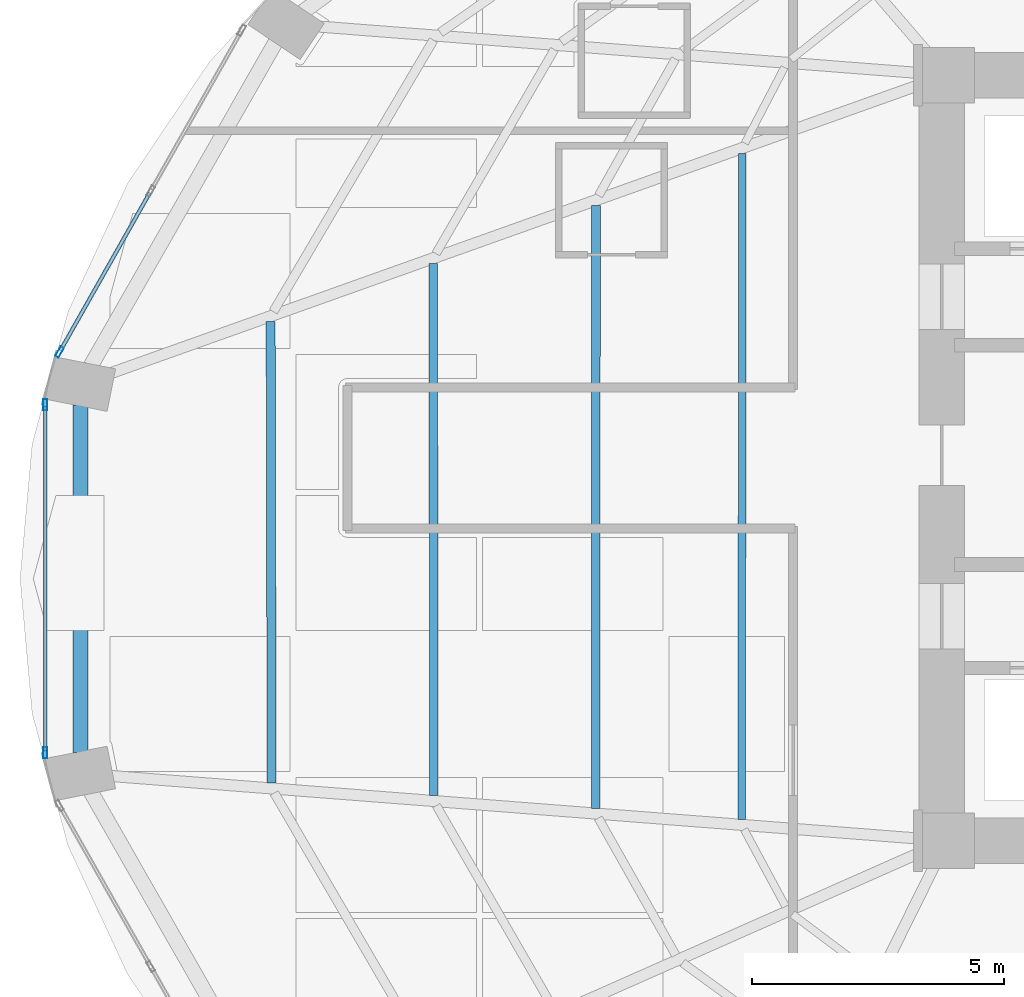
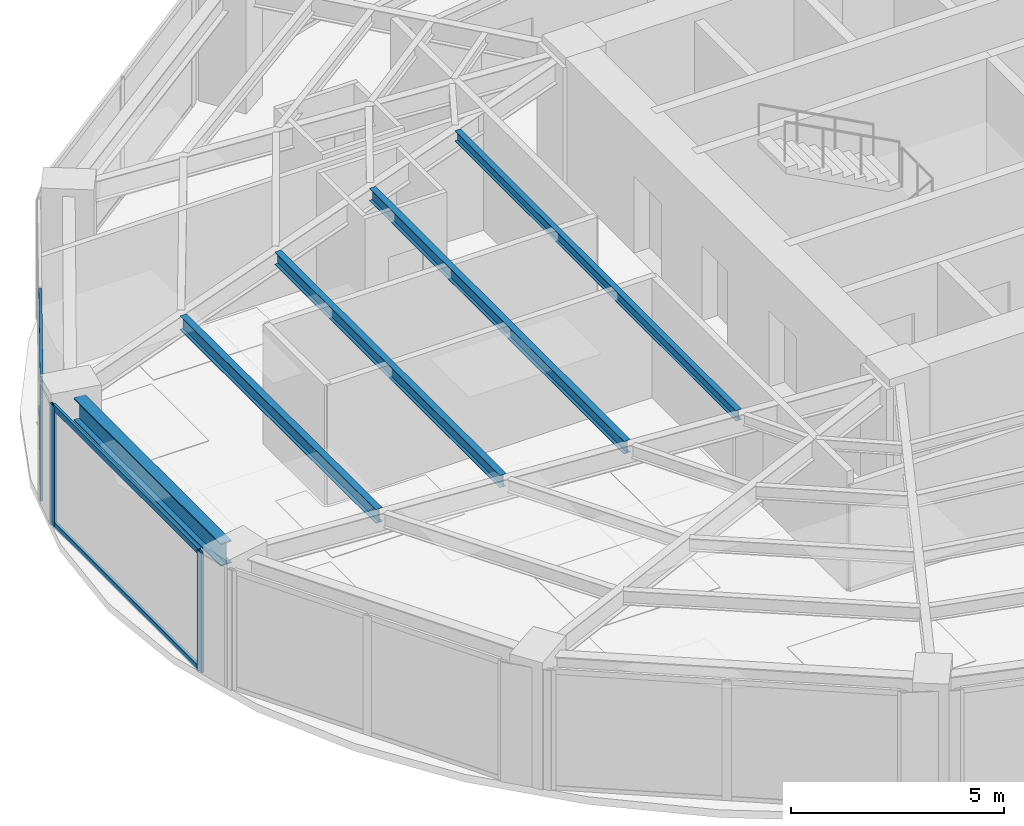
# One storey, part 7 of 24: 7 members, 5 beams, 2 elements without a shape of their own.
"""IFC4 building model written with IfcOpenShell, lengths in metres."""

from ifc_helpers import new_model, si_unit, direction, frame, origin, origin_2d, place, context, subcontext, project, spatial, hollow_rectangle, i_section, extrude, material, layer, layer_set, material_profile, profile_set, type_object, element, aggregate, save


model = new_model("IFC4")

# Units and contexts
model_context = context("Model", 3, precision=1e-05, world=origin(), true_north=direction((0.0, 1.0)))
body_context = subcontext(model_context, "Body", "Model", "MODEL_VIEW")
ifc_project = project(units=[si_unit("LENGTHUNIT", "METRE"), si_unit("AREAUNIT", "SQUARE_METRE"), si_unit("VOLUMEUNIT", "CUBIC_METRE"), si_unit("PLANEANGLEUNIT", "RADIAN"), si_unit("MASSUNIT", "GRAM", prefix="KILO")], contexts=[model_context])

# Site, building, storey
site_placement = place(None, origin())
site = spatial("IfcSite", under=ifc_project, at=site_placement, CompositionType="ELEMENT")
building_placement = place(site_placement, origin())
building = spatial("IfcBuilding", under=site, at=building_placement, Name="Lazwardi Medical Tower", CompositionType="ELEMENT")
storey_placement = place(building_placement, frame((0.0, 0.0, 54.384033203125)))
storey = spatial("IfcBuildingStorey", under=building, at=storey_placement, Name="L13", CompositionType="ELEMENT", Elevation=54.384033203125)

# Beams
ifc_material_1 = material(Name="Steel S355", Category="steel")
ifc_material_profile_1 = material_profile(ifc_material_1, i_section(OverallWidth=0.300048828125, OverallDepth=0.64990234375, WebThickness=0.01611328125, FlangeThickness=0.031005859375, at=origin_2d()), Name="HEB 650")
ifc_profile_set_1 = profile_set([ifc_material_profile_1], Name="Steel S355")
beam_type_1 = type_object("IfcBeamType", Name="BM-RB-Z1", PredefinedType="BEAM", material=ifc_profile_set_1)
beam_1_placement = place(storey_placement, frame((9.199951171875, 29.047607421875, 3.10302734375), z_axis=(0.0, -1.0, 0.0), x_axis=(1.0, 0.0, 0.0)))
element("IfcBeam", 1, at=beam_1_placement, inside=storey, type_object=beam_type_1, Name="Ring beam RB-02 B12 L13", PredefinedType="BEAM", context=body_context, shape_type="SweptSolid", body=[
    extrude(i_section(OverallWidth=0.300048828125, OverallDepth=0.64990234375, WebThickness=0.01611328125, FlangeThickness=0.031005859375, at=origin_2d()), origin(), (0.0, 0.0, 1.0), 6.895263671875),
])
ifc_material_profile_2 = material_profile(ifc_material_1, i_section(OverallWidth=0.179931640625, OverallDepth=0.39990234375, WebThickness=0.008544921875, FlangeThickness=0.013427734375, at=origin_2d()), Name="IPE 400")
ifc_profile_set_2 = profile_set([ifc_material_profile_2], Name="Steel S355")
beam_type_2 = type_object("IfcBeamType", Name="BM-SJ-01", PredefinedType="JOIST", material=ifc_profile_set_2)
beam_2_placement = place(storey_placement, frame((12.9765625, 30.708984375, 3.22802734375), z_axis=(0.002077613181, -0.999997841759, 0.0), x_axis=(0.999997841759, 0.002077613181, 0.0)))
element("IfcBeam", 2, at=beam_2_placement, inside=storey, type_object=beam_type_2, Name="Secondary joist SJ-01 R1 B12 L13", PredefinedType="JOIST", context=body_context, shape_type="SweptSolid", body=[
    extrude(i_section(OverallWidth=0.179931640625, OverallDepth=0.39990234375, WebThickness=0.008544921875, FlangeThickness=0.013427734375, at=origin_2d()), origin(), (0.0, 0.0, 1.0), 9.165771484375),
])
ifc_material_profile_3 = material_profile(ifc_material_1, i_section(OverallWidth=0.169921875, OverallDepth=0.360107421875, WebThickness=0.008056640625, FlangeThickness=0.0126953125, at=origin_2d()), Name="IPE 360")
ifc_profile_set_3 = profile_set([ifc_material_profile_3], Name="Steel S355")
beam_type_3 = type_object("IfcBeamType", Name="BM-SJ-02", PredefinedType="JOIST", material=ifc_profile_set_3)
beam_3_placement = place(storey_placement, frame((16.206298828125, 31.860595703125, 3.248046875), z_axis=(0.000670039821, -0.999999775523, 0.0), x_axis=(0.999999775523, 0.000670039821, 0.0)))
element("IfcBeam", 3, at=beam_3_placement, inside=storey, type_object=beam_type_3, Name="Secondary joist SJ-02 R2 B12 L13", PredefinedType="JOIST", context=body_context, shape_type="SweptSolid", body=[
    extrude(i_section(OverallWidth=0.169921875, OverallDepth=0.360107421875, WebThickness=0.008056640625, FlangeThickness=0.0126953125, at=origin_2d()), origin(), (0.0, 0.0, 1.0), 10.566650390625),
])
beam_4_placement = place(storey_placement, frame((19.43603515625, 33.01220703125, 3.248046875), z_axis=(-0.000387612685, -0.999999924878, 0.0), x_axis=(0.999999924878, -0.000387612685, 0.0)))
element("IfcBeam", 4, at=beam_4_placement, inside=storey, type_object=beam_type_3, Name="Secondary joist SJ-02 R3 B12 L13", PredefinedType="JOIST", context=body_context, shape_type="SweptSolid", body=[
    extrude(i_section(OverallWidth=0.169921875, OverallDepth=0.360107421875, WebThickness=0.008056640625, FlangeThickness=0.0126953125, at=origin_2d()), origin(), (0.0, 0.0, 1.0), 11.96728515625),
])
ifc_material_profile_4 = material_profile(ifc_material_1, i_section(OverallWidth=0.14990234375, OverallDepth=0.300048828125, WebThickness=0.007080078125, FlangeThickness=0.0107421875, at=origin_2d()), Name="IPE 300")
ifc_profile_set_4 = profile_set([ifc_material_profile_4], Name="Steel S355")
beam_type_4 = type_object("IfcBeamType", Name="BM-SJ-03", PredefinedType="JOIST", material=ifc_profile_set_4)
beam_5_placement = place(storey_placement, frame((22.343017578125, 34.048583984375, 3.278076171875), z_axis=(-0.001181203266, -0.999999302379, 0.0), x_axis=(0.999999302379, -0.001181203266, 0.0)))
element("IfcBeam", 5, at=beam_5_placement, inside=storey, type_object=beam_type_4, Name="Secondary joist SJ-03 R4 B12 L13", PredefinedType="JOIST", context=body_context, shape_type="SweptSolid", body=[
    extrude(i_section(OverallWidth=0.14990234375, OverallDepth=0.300048828125, WebThickness=0.007080078125, FlangeThickness=0.0107421875, at=origin_2d()), origin(), (0.0, 0.0, 1.0), 13.22802734375),
])

# Curtain wall, member
ifc_material_2 = material(Name="Anodised bronze aluminium and solar control glazing", Category="aluminium")
ifc_layer = layer(ifc_material_2, 0.199951171875)
ifc_layer_set = layer_set([ifc_layer], Name="Anodised bronze aluminium and solar control glazing")
curtain_wall_type = type_object("IfcCurtainWallType", Name="CW-SYS-02", PredefinedType="NOTDEFINED", material=ifc_layer_set)
curtain_wall_1_placement = place(storey_placement, origin())
curtain_wall_1 = element("IfcCurtainWall", 6, at=curtain_wall_1_placement, inside=storey, type_object=curtain_wall_type, Name="L13 Unitised bronze curtain wall CW-02", PredefinedType="NOTDEFINED")
ifc_material_3 = material(Name="Anodised bronze aluminium", Category="aluminium")
ifc_material_profile_5 = material_profile(ifc_material_3, hollow_rectangle(XDim=0.074951171875, YDim=0.219970703125, WallThickness=0.00390625, at=origin_2d()), Name="ALU-MULLION 220x75x4")
ifc_profile_set_5 = profile_set([ifc_material_profile_5], Name="Anodised bronze aluminium")
member_type_1 = type_object("IfcMemberType", Name="CW-MUL-01", PredefinedType="MULLION", material=ifc_profile_set_5)
member_1_placement = place(storey_placement, frame((8.785888671875, 30.102294921875, 0.0), z_axis=(0.0, 0.0, 1.0), x_axis=(0.870111838823, -0.492854327303, 0.0)))
member_1 = element("IfcMember", 7, at=member_1_placement, type_object=member_type_1, Name="CW-02 mullion 3", PredefinedType="MULLION", context=body_context, shape_type="SweptSolid", body=[
    extrude(hollow_rectangle(XDim=0.074951171875, YDim=0.219970703125, WallThickness=0.00390625, at=origin_2d()), origin(), (0.0, 0.0, 1.0), 3.427978515625),
])

# Curtain wall, members
curtain_wall_2_placement = place(storey_placement, origin())
curtain_wall_2 = element("IfcCurtainWall", 8, at=curtain_wall_2_placement, inside=storey, type_object=curtain_wall_type, Name="L13 Unitised bronze curtain wall CW-02", PredefinedType="NOTDEFINED")
member_2_placement = place(storey_placement, frame((8.50146484375, 29.053955078125, 0.0), z_axis=(0.0, 0.0, 1.0), x_axis=(1.0, 0.0, 0.0)))
member_2 = element("IfcMember", 9, at=member_2_placement, type_object=member_type_1, Name="CW-02 mullion 1", PredefinedType="MULLION", context=body_context, shape_type="SweptSolid", body=[
    extrude(hollow_rectangle(XDim=0.074951171875, YDim=0.219970703125, WallThickness=0.00390625, at=origin_2d()), origin(), (0.0, 0.0, 1.0), 3.427978515625),
])
member_3_placement = place(storey_placement, frame((8.50146484375, 22.14599609375, 0.0), z_axis=(0.0, 0.0, 1.0), x_axis=(1.0, 0.0, 0.0)))
member_3 = element("IfcMember", 10, at=member_3_placement, type_object=member_type_1, Name="CW-02 mullion 2", PredefinedType="MULLION", context=body_context, shape_type="SweptSolid", body=[
    extrude(hollow_rectangle(XDim=0.074951171875, YDim=0.219970703125, WallThickness=0.00390625, at=origin_2d()), origin(), (0.0, 0.0, 1.0), 3.427978515625),
])

# Member
ifc_material_profile_6 = material_profile(ifc_material_3, hollow_rectangle(XDim=0.074951171875, YDim=0.159912109375, WallThickness=0.00390625, at=origin_2d()), Name="ALU-TRANSOM 160x75x4")
ifc_profile_set_6 = profile_set([ifc_material_profile_6], Name="Anodised bronze aluminium")
member_type_2 = type_object("IfcMemberType", Name="CW-TRN-01", PredefinedType="USERDEFINED", material=ifc_profile_set_6)
member_4_placement = place(storey_placement, frame((10.576171875, 33.262939453125, 0.037353515625), z_axis=(-0.49285148925, -0.870113446365, 0.0), x_axis=(0.870113446365, -0.49285148925, 0.0)))
member_4 = element("IfcMember", 11, at=member_4_placement, type_object=member_type_2, Name="CW-02 transom 2.1", ObjectType="TRANSOM", PredefinedType="USERDEFINED", context=body_context, shape_type="SweptSolid", body=[
    extrude(hollow_rectangle(XDim=0.074951171875, YDim=0.159912109375, WallThickness=0.00390625, at=origin_2d()), origin(), (0.0, 0.0, 1.0), 3.594970703125),
])

member_5_placement = place(storey_placement, frame((10.576171875, 33.262939453125, 3.390380859375), z_axis=(-0.49285148925, -0.870113446365, 0.0), x_axis=(0.870113446365, -0.49285148925, 0.0)))
member_5 = element("IfcMember", 12, at=member_5_placement, type_object=member_type_2, Name="CW-02 transom 2.2", ObjectType="TRANSOM", PredefinedType="USERDEFINED", context=body_context, shape_type="SweptSolid", body=[
    extrude(hollow_rectangle(XDim=0.074951171875, YDim=0.159912109375, WallThickness=0.00390625, at=origin_2d()), origin(), (0.0, 0.0, 1.0), 3.594970703125),
])

aggregate(curtain_wall_1, [member_1, member_4, member_5])

member_6_placement = place(storey_placement, frame((8.50146484375, 29.0166015625, 0.037353515625), z_axis=(0.0, -1.0, 0.0), x_axis=(1.0, 0.0, 0.0)))
member_6 = element("IfcMember", 13, at=member_6_placement, type_object=member_type_2, Name="CW-02 transom 1.1", ObjectType="TRANSOM", PredefinedType="USERDEFINED", context=body_context, shape_type="SweptSolid", body=[
    extrude(hollow_rectangle(XDim=0.074951171875, YDim=0.159912109375, WallThickness=0.00390625, at=origin_2d()), origin(), (0.0, 0.0, 1.0), 6.8330078125),
])

member_7_placement = place(storey_placement, frame((8.50146484375, 29.0166015625, 3.390380859375), z_axis=(0.0, -1.0, 0.0), x_axis=(1.0, 0.0, 0.0)))
member_7 = element("IfcMember", 14, at=member_7_placement, type_object=member_type_2, Name="CW-02 transom 1.2", ObjectType="TRANSOM", PredefinedType="USERDEFINED", context=body_context, shape_type="SweptSolid", body=[
    extrude(hollow_rectangle(XDim=0.074951171875, YDim=0.159912109375, WallThickness=0.00390625, at=origin_2d()), origin(), (0.0, 0.0, 1.0), 6.8330078125),
])

aggregate(curtain_wall_2, [member_2, member_3, member_6, member_7])

save(model, "model.ifc")
